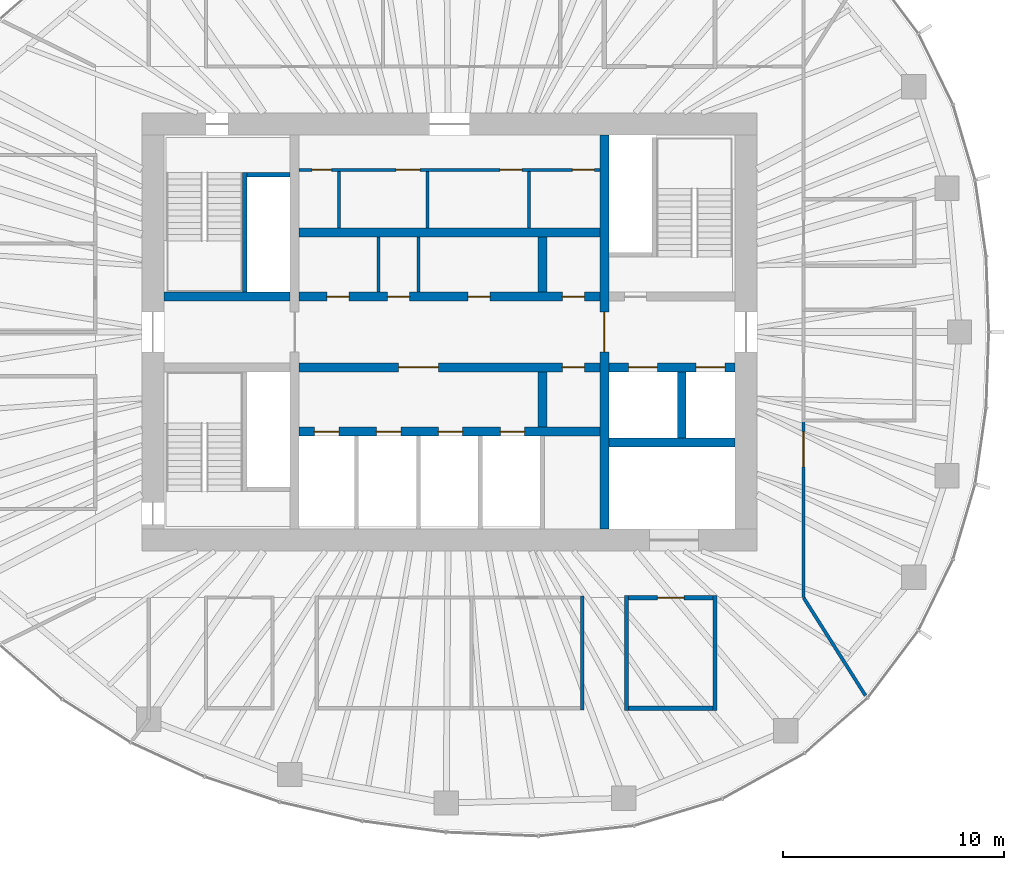
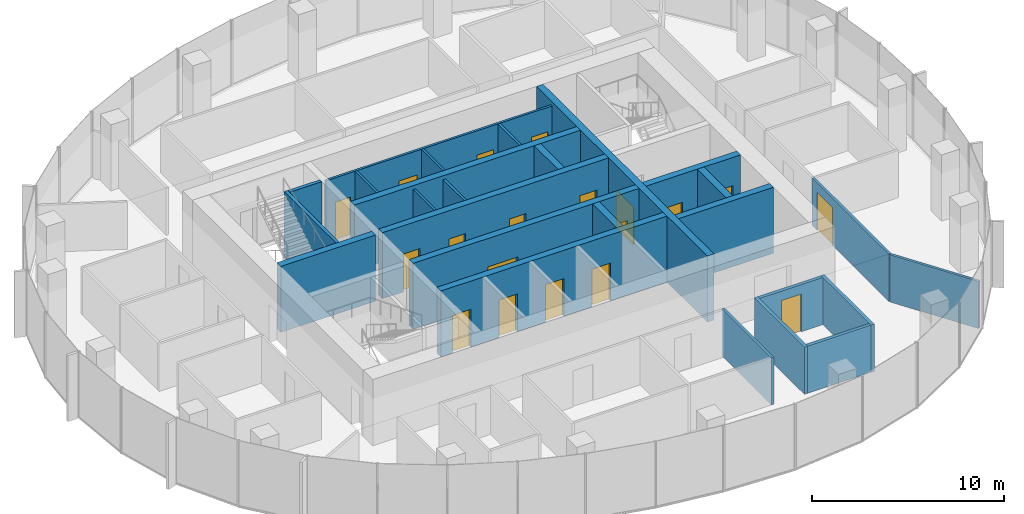
# One storey, part 9 of 12: 26 walls, 19 doors, 19 openings.
"""IFC4 building model written with IfcOpenShell, lengths in metres."""

from ifc_helpers import new_model, si_unit, direction, frame, frame_2d, origin, place, context, subcontext, project, spatial, rectangle, extrude, material, layer, layer_set, type_object, element, fill, save


model = new_model("IFC4")

# Units and contexts
model_context = context("Model", 3, precision=1e-05, world=origin(), true_north=direction((0.0, 1.0)))
body_context = subcontext(model_context, "Body", "Model", "MODEL_VIEW")
ifc_project = project(units=[si_unit("LENGTHUNIT", "METRE"), si_unit("AREAUNIT", "SQUARE_METRE"), si_unit("VOLUMEUNIT", "CUBIC_METRE"), si_unit("PLANEANGLEUNIT", "RADIAN"), si_unit("MASSUNIT", "GRAM", prefix="KILO")], contexts=[model_context])

# Site, building, storey
site_placement = place(None, origin())
site = spatial("IfcSite", under=ifc_project, at=site_placement, CompositionType="ELEMENT")
building_placement = place(site_placement, origin())
building = spatial("IfcBuilding", under=site, at=building_placement, Name="Ghaith Harvest Tower", CompositionType="ELEMENT")
storey_placement = place(building_placement, frame((0.0, 0.0, 296.39990234375)))
storey = spatial("IfcBuildingStorey", under=building, at=storey_placement, Name="L66", CompositionType="ELEMENT", Elevation=296.39990234375)

# Walls
ifc_material_1 = material(Name="Twin-stud gypsum board, acoustic", Category="gypsum")
ifc_layer_1 = layer(ifc_material_1, 0.199951171875)
ifc_layer_set_1 = layer_set([ifc_layer_1], Name="ACOUSTIC PARTITION 200")
wall_type_1 = type_object("IfcWallType", Name="ACOUSTIC PARTITION 200", PredefinedType="PARTITIONING", material=ifc_layer_set_1)
for number, where, z_axis, x_axis, name in (
    (1, (8.0, -11.89990234375, 0.0), (0.0, 0.0, 1.0), (0.0, -1.0, 0.0), "Partition L66 row S4 cross wall 1"),
    (2, (12.0, -11.89990234375, 0.0), (0.0, 0.0, 1.0), (0.0, -1.0, 0.0), "Partition L66 row S4 cross wall 2"),
):
    element("IfcWall", number, at=place(storey_placement, frame(where, z_axis=z_axis, x_axis=x_axis)), inside=storey, type_object=wall_type_1, Name=name, PredefinedType="PARTITIONING", context=body_context, shape_type="SweptSolid", body=[
        extrude(rectangle(XDim=5.2001953125, YDim=0.199951171875, at=frame_2d((2.60009765625, 0.0))), origin(), (0.0, 0.0, 1.0), 3.0),
    ])

# Wall, opening, door
wall_1_placement = place(storey_placement, frame((8.10009765625, -12.0, 0.0), z_axis=(0.0, 0.0, 1.0), x_axis=(1.0, 0.0, 0.0)))
wall_1 = element("IfcWall", 3, at=wall_1_placement, inside=storey, type_object=wall_type_1, Name="Partition L66-07", PredefinedType="PARTITIONING", context=body_context, shape_type="SweptSolid", body=[
    extrude(rectangle(XDim=3.7998046875, YDim=0.199951171875, at=frame_2d((1.89990234375, 0.0))), origin(), (0.0, 0.0, 1.0), 3.0),
])
opening_1_placement = place(wall_1_placement, frame((1.300048828125, 0.0, 0.0)))
opening_1 = element("IfcOpeningElement", 4, at=opening_1_placement, cuts=wall_1, Name="Opening 66-032", PredefinedType="OPENING", context=body_context, shape_type="SweptSolid", body=[
    extrude(rectangle(XDim=1.199951171875, YDim=2.39990234375, at=frame_2d((0.60009765625, 1.199951171875))), frame((0.0, 0.10986328125, 0.0), z_axis=(0.0, -1.0, 0.0), x_axis=(1.0, 0.0, 0.0)), (0.0, 0.0, 1.0), 0.219970703125),
])
ifc_material_2 = material(Name="Timber door", Category="wood")
door_type_1 = type_object("IfcDoorType", Name="D11 GLAZED 1200x2400", OperationType="SINGLE_SWING_LEFT", PredefinedType="DOOR", material=ifc_material_2)
door_1_placement = place(opening_1_placement, origin())
door_1 = element("IfcDoor", 5, at=door_1_placement, inside=storey, type_object=door_type_1, Name="Meeting room door", OperationType="SINGLE_SWING_LEFT", OverallHeight=2.39990234375, OverallWidth=1.199951171875, PredefinedType="DOOR", context=body_context, shape_type="SweptSolid", body=[
    extrude(rectangle(XDim=1.199951171875, YDim=2.39990234375, at=frame_2d((0.60009765625, 1.199951171875))), frame((0.0, 0.02490234375, 0.0), z_axis=(0.0, -1.0, 0.0), x_axis=(1.0, 0.0, 0.0)), (0.0, 0.0, 1.0), 0.050048828125),
])
fill(opening_1, door_1)

# Wall
wall_2_placement = place(storey_placement, frame((8.10009765625, -17.0, 0.0), z_axis=(0.0, 0.0, 1.0), x_axis=(1.0, 0.0, 0.0)))
element("IfcWall", 6, at=wall_2_placement, inside=storey, type_object=wall_type_1, Name="Partition L66-07", PredefinedType="PARTITIONING", context=body_context, shape_type="SweptSolid", body=[
    extrude(rectangle(XDim=3.7998046875, YDim=0.199951171875, at=frame_2d((1.89990234375, 0.0))), origin(), (0.0, 0.0, 1.0), 3.0),
])

# Wall, openings, doors
ifc_material_3 = material(Name="Concrete blockwork, fair-faced", Category="masonry")
ifc_layer_2 = layer(ifc_material_3, 0.139892578125)
ifc_layer_set_2 = layer_set([ifc_layer_2], Name="CORE PARTITION 140")
wall_type_2 = type_object("IfcWallType", Name="CORE PARTITION 140", PredefinedType="PARTITIONING", material=ifc_layer_set_2)
wall_3_placement = place(storey_placement, frame((-6.800048828125, 7.330078125, 0.0), z_axis=(0.0, 0.0, 1.0), x_axis=(1.0, 0.0, 0.0)))
wall_3 = element("IfcWall", 7, at=wall_3_placement, inside=storey, type_object=wall_type_2, Name="Core partition L66", PredefinedType="PARTITIONING", context=body_context, shape_type="SweptSolid", body=[
    extrude(rectangle(XDim=13.60009765625, YDim=0.139892578125, at=frame_2d((6.800048828125, 0.0))), origin(), (0.0, 0.0, 1.0), 3.9501953125),
])
opening_2_placement = place(wall_3_placement, frame((0.580078125, 0.0, 0.0)))
opening_2 = element("IfcOpeningElement", 8, at=opening_2_placement, cuts=wall_3, Name="Opening 66-008", PredefinedType="OPENING", context=body_context, shape_type="SweptSolid", body=[
    extrude(rectangle(XDim=0.89990234375, YDim=2.39990234375, at=frame_2d((0.449951171875, 1.199951171875))), frame((0.0, 0.080078125, 0.0), z_axis=(0.0, -1.0, 0.0), x_axis=(1.0, 0.0, 0.0)), (0.0, 0.0, 1.0), 0.159912109375),
])
opening_3_placement = place(wall_3_placement, frame((4.3798828125, 0.0, 0.0)))
opening_3 = element("IfcOpeningElement", 9, at=opening_3_placement, cuts=wall_3, Name="Opening 66-009", PredefinedType="OPENING", context=body_context, shape_type="SweptSolid", body=[
    extrude(rectangle(XDim=1.10009765625, YDim=2.39990234375, at=frame_2d((0.550048828125, 1.199951171875))), frame((0.0, 0.080078125, 0.0), z_axis=(0.0, -1.0, 0.0), x_axis=(1.0, 0.0, 0.0)), (0.0, 0.0, 1.0), 0.159912109375),
])
opening_4_placement = place(wall_3_placement, frame((9.080078125, 0.0, 0.0)))
opening_4 = element("IfcOpeningElement", 10, at=opening_4_placement, cuts=wall_3, Name="Opening 66-010", PredefinedType="OPENING", context=body_context, shape_type="SweptSolid", body=[
    extrude(rectangle(XDim=1.0, YDim=2.39990234375, at=frame_2d((0.5, 1.199951171875))), frame((0.0, 0.080078125, 0.0), z_axis=(0.0, -1.0, 0.0), x_axis=(1.0, 0.0, 0.0)), (0.0, 0.0, 1.0), 0.159912109375),
])
opening_5_placement = place(wall_3_placement, frame((12.35009765625, 0.0, 0.0)))
opening_5 = element("IfcOpeningElement", 11, at=opening_5_placement, cuts=wall_3, Name="Opening 66-011", PredefinedType="OPENING", context=body_context, shape_type="SweptSolid", body=[
    extrude(rectangle(XDim=1.0, YDim=2.39990234375, at=frame_2d((0.5, 1.199951171875))), frame((0.0, 0.080078125, 0.0), z_axis=(0.0, -1.0, 0.0), x_axis=(1.0, 0.0, 0.0)), (0.0, 0.0, 1.0), 0.159912109375),
])
ifc_material_4 = material(Name="Steel fire door", Category="steel")
door_type_2 = type_object("IfcDoorType", Name="D3 FD90 1000x2400", OperationType="SINGLE_SWING_LEFT", PredefinedType="DOOR", material=ifc_material_4)
door_2_placement = place(opening_4_placement, origin())
door_2 = element("IfcDoor", 12, at=door_2_placement, inside=storey, type_object=door_type_2, Name="Male WC door", OperationType="SINGLE_SWING_RIGHT", OverallHeight=2.39990234375, OverallWidth=1.0, PredefinedType="DOOR", context=body_context, shape_type="SweptSolid", body=[
    extrude(rectangle(XDim=1.0, YDim=2.39990234375, at=frame_2d((0.5, 1.199951171875))), frame((0.0, 0.02490234375, 0.0), z_axis=(0.0, -1.0, 0.0), x_axis=(1.0, 0.0, 0.0)), (0.0, 0.0, 1.0), 0.050048828125),
])
fill(opening_4, door_2)
door_3_placement = place(opening_5_placement, origin())
door_3 = element("IfcDoor", 13, at=door_3_placement, inside=storey, type_object=door_type_2, Name="Female WC door", OperationType="SINGLE_SWING_RIGHT", OverallHeight=2.39990234375, OverallWidth=1.0, PredefinedType="DOOR", context=body_context, shape_type="SweptSolid", body=[
    extrude(rectangle(XDim=1.0, YDim=2.39990234375, at=frame_2d((0.5, 1.199951171875))), frame((0.0, 0.02490234375, 0.0), z_axis=(0.0, -1.0, 0.0), x_axis=(1.0, 0.0, 0.0)), (0.0, 0.0, 1.0), 0.050048828125),
])
fill(opening_5, door_3)
ifc_material_5 = material(Name="Steel fire door", Category="steel")
door_type_3 = type_object("IfcDoorType", Name="D5 FD90 900x2400", OperationType="SINGLE_SWING_LEFT", PredefinedType="DOOR", material=ifc_material_5)
door_4_placement = place(opening_2_placement, origin())
door_4 = element("IfcDoor", 14, at=door_4_placement, inside=storey, type_object=door_type_3, Name="Cleaner's store door", OperationType="SINGLE_SWING_LEFT", OverallHeight=2.39990234375, OverallWidth=0.89990234375, PredefinedType="DOOR", context=body_context, shape_type="SweptSolid", body=[
    extrude(rectangle(XDim=0.89990234375, YDim=2.39990234375, at=frame_2d((0.449951171875, 1.199951171875))), frame((0.0, 0.02490234375, 0.0), z_axis=(0.0, -1.0, 0.0), x_axis=(1.0, 0.0, 0.0)), (0.0, 0.0, 1.0), 0.050048828125),
])
fill(opening_2, door_4)
ifc_material_6 = material(Name="Steel fire door", Category="steel")
door_type_4 = type_object("IfcDoorType", Name="D9 FD90 1100x2400", OperationType="SINGLE_SWING_LEFT", PredefinedType="DOOR", material=ifc_material_6)
door_5_placement = place(opening_3_placement, origin())
door_5 = element("IfcDoor", 15, at=door_5_placement, inside=storey, type_object=door_type_4, Name="Accessible WC door", OperationType="SINGLE_SWING_LEFT", OverallHeight=2.39990234375, OverallWidth=1.10009765625, PredefinedType="DOOR", context=body_context, shape_type="SweptSolid", body=[
    extrude(rectangle(XDim=1.10009765625, YDim=2.39990234375, at=frame_2d((0.550048828125, 1.199951171875))), frame((0.0, 0.02490234375, 0.0), z_axis=(0.0, -1.0, 0.0), x_axis=(1.0, 0.0, 0.0)), (0.0, 0.0, 1.0), 0.050048828125),
])
fill(opening_3, door_5)

# Walls
for number, where, z_axis, x_axis, name in (
    (16, (-5.0, 4.699951171875, 0.0), (0.0, 0.0, 1.0), (0.0, 1.0, 0.0), "Core partition L66"),
    (17, (-1.0, 4.699951171875, 0.0), (0.0, 0.0, 1.0), (0.0, 1.0, 0.0), "Core partition L66"),
    (18, (3.60009765625, 4.699951171875, 0.0), (0.0, 0.0, 1.0), (0.0, 1.0, 0.0), "Core partition L66"),
):
    element("IfcWall", number, at=place(storey_placement, frame(where, z_axis=z_axis, x_axis=x_axis)), inside=storey, type_object=wall_type_2, Name=name, PredefinedType="PARTITIONING", context=body_context, shape_type="SweptSolid", body=[
        extrude(rectangle(XDim=2.56005859375, YDim=0.139892578125, at=frame_2d((1.280029296875, 0.0))), origin(), (0.0, 0.0, 1.0), 3.9501953125),
    ])
for number, where, z_axis, x_axis, name in (
    (19, (-3.199951171875, 1.800048828125, 0.0), (0.0, 0.0, 1.0), (0.0, 1.0, 0.0), "Core partition L66"),
    (20, (-1.39990234375, 1.800048828125, 0.0), (0.0, 0.0, 1.0), (0.0, 1.0, 0.0), "Core partition L66"),
):
    element("IfcWall", number, at=place(storey_placement, frame(where, z_axis=z_axis, x_axis=x_axis)), inside=storey, type_object=wall_type_2, Name=name, PredefinedType="PARTITIONING", context=body_context, shape_type="SweptSolid", body=[
        extrude(rectangle(XDim=2.5, YDim=0.139892578125, at=frame_2d((1.25, 0.0))), origin(), (0.0, 0.0, 1.0), 3.9501953125),
    ])
ifc_material_7 = material(Name="Gypsum board on steel studs", Category="steel")
ifc_layer_3 = layer(ifc_material_7, 0.14990234375)
ifc_layer_set_3 = layer_set([ifc_layer_3], Name="PARTITION 150")
wall_type_3 = type_object("IfcWallType", Name="PARTITION 150", PredefinedType="PARTITIONING", material=ifc_layer_set_3)
wall_4_placement = place(storey_placement, frame((6.0, -11.925048828125, 0.0), z_axis=(0.0, 0.0, 1.0), x_axis=(0.0, -1.0, 0.0)))
element("IfcWall", 21, at=wall_4_placement, inside=storey, type_object=wall_type_3, Name="Partition L66 row S3 cross wall 3", PredefinedType="PARTITIONING", context=body_context, shape_type="SweptSolid", body=[
    extrude(rectangle(XDim=5.14990234375, YDim=0.14990234375, at=frame_2d((2.574951171875, 0.0))), origin(), (0.0, 0.0, 1.0), 3.0),
])
wall_5_placement = place(storey_placement, frame((16.0107421875, -12.016845703125, 0.0), z_axis=(0.0, 0.0, 1.0), x_axis=(0.53415837449, -0.845384427916, 0.0)))
element("IfcWall", 22, at=wall_5_placement, inside=storey, type_object=wall_type_3, Name="Partition L66 zone division", PredefinedType="PARTITIONING", context=body_context, shape_type="SweptSolid", body=[
    extrude(rectangle(XDim=5.220458984375, YDim=0.14990234375, at=frame_2d((2.6103515625, 0.0))), origin(), (0.0, 0.0, 1.0), 3.0),
])

# Wall, opening, door
wall_6_placement = place(storey_placement, frame((16.0, -12.0, 0.0), z_axis=(0.0, 0.0, 1.0), x_axis=(0.0, 1.0, 0.0)))
wall_6 = element("IfcWall", 23, at=wall_6_placement, inside=storey, type_object=wall_type_3, Name="Partition L66 zone enclosure", PredefinedType="PARTITIONING", context=body_context, shape_type="SweptSolid", body=[
    extrude(rectangle(XDim=8.0, YDim=0.14990234375, at=frame_2d((4.0, 0.0))), origin(), (0.0, 0.0, 1.0), 3.0),
])
opening_6_placement = place(wall_6_placement, frame((5.89990234375, 0.0, 0.0)))
opening_6 = element("IfcOpeningElement", 24, at=opening_6_placement, cuts=wall_6, Name="Opening 66-039", PredefinedType="OPENING", context=body_context, shape_type="SweptSolid", body=[
    extrude(rectangle(XDim=1.60009765625, YDim=2.39990234375, at=frame_2d((0.800048828125, 1.199951171875))), frame((0.0, 0.0849609375, 0.0), z_axis=(0.0, -1.0, 0.0), x_axis=(1.0, 0.0, 0.0)), (0.0, 0.0, 1.0), 0.169921875),
])
ifc_material_8 = material(Name="Timber door", Category="wood")
door_type_5 = type_object("IfcDoorType", Name="D2 PAIR 1600x2400", OperationType="DOUBLE_DOOR_SINGLE_SWING", PredefinedType="DOOR", material=ifc_material_8)
door_6_placement = place(opening_6_placement, origin())
door_6 = element("IfcDoor", 25, at=door_6_placement, inside=storey, type_object=door_type_5, Name="Research greenhouse east door", OperationType="DOUBLE_DOOR_SINGLE_SWING", OverallHeight=2.39990234375, OverallWidth=1.60009765625, PredefinedType="DOOR", context=body_context, shape_type="SweptSolid", body=[
    extrude(rectangle(XDim=1.60009765625, YDim=2.39990234375, at=frame_2d((0.800048828125, 1.199951171875))), frame((0.0, 0.02490234375, 0.0), z_axis=(0.0, -1.0, 0.0), x_axis=(1.0, 0.0, 0.0)), (0.0, 0.0, 1.0), 0.050048828125),
])
fill(opening_6, door_6)

ifc_material_9 = material(Name="Concrete C70/85", Category="concrete")
ifc_layer_4 = layer(ifc_material_9, 0.39990234375)
ifc_layer_set_4 = layer_set([ifc_layer_4], Name="SHAFT WALL 400")
wall_type_4 = type_object("IfcWallType", Name="SHAFT WALL 400", PredefinedType="SHEAR", material=ifc_layer_set_4)
wall_7_placement = place(storey_placement, frame((7.0, -8.89990234375, 0.0), z_axis=(0.0, 0.0, 1.0), x_axis=(0.0, 1.0, 0.0)))
wall_7 = element("IfcWall", 26, at=wall_7_placement, inside=storey, type_object=wall_type_4, Name="Shaft wall W7E L66", PredefinedType="SHEAR", context=body_context, shape_type="SweptSolid", body=[
    extrude(rectangle(XDim=17.7998046875, YDim=0.39990234375, at=frame_2d((8.89990234375, 0.0))), origin(), (0.0, 0.0, 1.0), 4.2001953125),
])
opening_7_placement = place(wall_7_placement, frame((8.0, 0.0, 0.0)))
opening_7 = element("IfcOpeningElement", 27, at=opening_7_placement, cuts=wall_7, Name="Opening 66-004", PredefinedType="OPENING", context=body_context, shape_type="SweptSolid", body=[
    extrude(rectangle(XDim=1.800048828125, YDim=2.39990234375, at=frame_2d((0.89990234375, 1.199951171875))), frame((0.0, 0.2099609375, 0.0), z_axis=(0.0, -1.0, 0.0), x_axis=(1.0, 0.0, 0.0)), (0.0, 0.0, 1.0), 0.419921875),
])
ifc_material_10 = material(Name="Steel fire door", Category="steel")
door_type_6 = type_object("IfcDoorType", Name="D4 FD90 PAIR 1800x2400", OperationType="DOUBLE_DOOR_SINGLE_SWING", PredefinedType="DOOR", material=ifc_material_10)
door_7_placement = place(opening_7_placement, origin())
door_7 = element("IfcDoor", 28, at=door_7_placement, inside=storey, type_object=door_type_6, Name="Lift lobby doors, east", OperationType="DOUBLE_DOOR_SINGLE_SWING", OverallHeight=2.39990234375, OverallWidth=1.800048828125, PredefinedType="DOOR", context=body_context, shape_type="SweptSolid", body=[
    extrude(rectangle(XDim=1.800048828125, YDim=2.39990234375, at=frame_2d((0.89990234375, 1.199951171875))), frame((0.0, 0.02490234375, 0.0), z_axis=(0.0, -1.0, 0.0), x_axis=(1.0, 0.0, 0.0)), (0.0, 0.0, 1.0), 0.050048828125),
])
fill(opening_7, door_7)

# Wall, openings, doors
wall_8_placement = place(storey_placement, frame((-6.800048828125, 1.60009765625, 0.0), z_axis=(0.0, 0.0, 1.0), x_axis=(1.0, 0.0, 0.0)))
wall_8 = element("IfcWall", 29, at=wall_8_placement, inside=storey, type_object=wall_type_4, Name="Shaft wall LN L66", PredefinedType="SHEAR", context=body_context, shape_type="SweptSolid", body=[
    extrude(rectangle(XDim=13.60009765625, YDim=0.39990234375, at=frame_2d((6.800048828125, 0.0))), origin(), (0.0, 0.0, 1.0), 4.2001953125),
])
opening_8_placement = place(wall_8_placement, frame((1.264892578125, 0.0, 0.0)))
opening_8 = element("IfcOpeningElement", 30, at=opening_8_placement, cuts=wall_8, Name="Opening 66-012", PredefinedType="OPENING", context=body_context, shape_type="SweptSolid", body=[
    extrude(rectangle(XDim=1.0, YDim=2.39990234375, at=frame_2d((0.5, 1.199951171875))), frame((0.0, 0.2099609375, 0.0), z_axis=(0.0, -1.0, 0.0), x_axis=(1.0, 0.0, 0.0)), (0.0, 0.0, 1.0), 0.419921875),
])
opening_9_placement = place(wall_8_placement, frame((4.0, 0.0, 0.0)))
opening_9 = element("IfcOpeningElement", 31, at=opening_9_placement, cuts=wall_8, Name="Opening 66-013", PredefinedType="OPENING", context=body_context, shape_type="SweptSolid", body=[
    extrude(rectangle(XDim=1.0, YDim=2.39990234375, at=frame_2d((0.5, 1.199951171875))), frame((0.0, 0.2099609375, 0.0), z_axis=(0.0, -1.0, 0.0), x_axis=(1.0, 0.0, 0.0)), (0.0, 0.0, 1.0), 0.419921875),
])
opening_10_placement = place(wall_8_placement, frame((7.635009765625, 0.0, 0.0)))
opening_10 = element("IfcOpeningElement", 32, at=opening_10_placement, cuts=wall_8, Name="Opening 66-014", PredefinedType="OPENING", context=body_context, shape_type="SweptSolid", body=[
    extrude(rectangle(XDim=1.0, YDim=2.39990234375, at=frame_2d((0.5, 1.199951171875))), frame((0.0, 0.2099609375, 0.0), z_axis=(0.0, -1.0, 0.0), x_axis=(1.0, 0.0, 0.0)), (0.0, 0.0, 1.0), 0.419921875),
])
opening_11_placement = place(wall_8_placement, frame((11.89990234375, 0.0, 0.0)))
opening_11 = element("IfcOpeningElement", 33, at=opening_11_placement, cuts=wall_8, Name="Opening 66-015", PredefinedType="OPENING", context=body_context, shape_type="SweptSolid", body=[
    extrude(rectangle(XDim=1.0, YDim=2.39990234375, at=frame_2d((0.5, 1.199951171875))), frame((0.0, 0.2099609375, 0.0), z_axis=(0.0, -1.0, 0.0), x_axis=(1.0, 0.0, 0.0)), (0.0, 0.0, 1.0), 0.419921875),
])
door_8_placement = place(opening_8_placement, origin())
door_8 = element("IfcDoor", 34, at=door_8_placement, inside=storey, type_object=door_type_2, Name="Electrical room door", OperationType="SINGLE_SWING_LEFT", OverallHeight=2.39990234375, OverallWidth=1.0, PredefinedType="DOOR", context=body_context, shape_type="SweptSolid", body=[
    extrude(rectangle(XDim=1.0, YDim=2.39990234375, at=frame_2d((0.5, 1.199951171875))), frame((0.0, 0.02490234375, 0.0), z_axis=(0.0, -1.0, 0.0), x_axis=(1.0, 0.0, 0.0)), (0.0, 0.0, 1.0), 0.050048828125),
])
fill(opening_8, door_8)
door_9_placement = place(opening_9_placement, origin())
door_9 = element("IfcDoor", 35, at=door_9_placement, inside=storey, type_object=door_type_2, Name="Staff WC door", OperationType="SINGLE_SWING_LEFT", OverallHeight=2.39990234375, OverallWidth=1.0, PredefinedType="DOOR", context=body_context, shape_type="SweptSolid", body=[
    extrude(rectangle(XDim=1.0, YDim=2.39990234375, at=frame_2d((0.5, 1.199951171875))), frame((0.0, 0.02490234375, 0.0), z_axis=(0.0, -1.0, 0.0), x_axis=(1.0, 0.0, 0.0)), (0.0, 0.0, 1.0), 0.050048828125),
])
fill(opening_9, door_9)
door_10_placement = place(opening_10_placement, origin())
door_10 = element("IfcDoor", 36, at=door_10_placement, inside=storey, type_object=door_type_2, Name="Communications equipment room door", OperationType="SINGLE_SWING_RIGHT", OverallHeight=2.39990234375, OverallWidth=1.0, PredefinedType="DOOR", context=body_context, shape_type="SweptSolid", body=[
    extrude(rectangle(XDim=1.0, YDim=2.39990234375, at=frame_2d((0.5, 1.199951171875))), frame((0.0, 0.02490234375, 0.0), z_axis=(0.0, -1.0, 0.0), x_axis=(1.0, 0.0, 0.0)), (0.0, 0.0, 1.0), 0.050048828125),
])
fill(opening_10, door_10)
door_11_placement = place(opening_11_placement, origin())
door_11 = element("IfcDoor", 37, at=door_11_placement, inside=storey, type_object=door_type_2, Name="Security room door", OperationType="SINGLE_SWING_RIGHT", OverallHeight=2.39990234375, OverallWidth=1.0, PredefinedType="DOOR", context=body_context, shape_type="SweptSolid", body=[
    extrude(rectangle(XDim=1.0, YDim=2.39990234375, at=frame_2d((0.5, 1.199951171875))), frame((0.0, 0.02490234375, 0.0), z_axis=(0.0, -1.0, 0.0), x_axis=(1.0, 0.0, 0.0)), (0.0, 0.0, 1.0), 0.050048828125),
])
fill(opening_11, door_11)

wall_9_placement = place(storey_placement, frame((-6.800048828125, -1.60009765625, 0.0), z_axis=(0.0, 0.0, 1.0), x_axis=(1.0, 0.0, 0.0)))
wall_9 = element("IfcWall", 38, at=wall_9_placement, inside=storey, type_object=wall_type_4, Name="Shaft wall LS L66", PredefinedType="SHEAR", context=body_context, shape_type="SweptSolid", body=[
    extrude(rectangle(XDim=13.60009765625, YDim=0.39990234375, at=frame_2d((6.800048828125, 0.0))), origin(), (0.0, 0.0, 1.0), 4.2001953125),
])
opening_12_placement = place(wall_9_placement, frame((11.89990234375, 0.0, 0.0)))
opening_12 = element("IfcOpeningElement", 39, at=opening_12_placement, cuts=wall_9, Name="Opening 66-016", PredefinedType="OPENING", context=body_context, shape_type="SweptSolid", body=[
    extrude(rectangle(XDim=1.0, YDim=2.39990234375, at=frame_2d((0.5, 1.199951171875))), frame((0.0, 0.2099609375, 0.0), z_axis=(0.0, -1.0, 0.0), x_axis=(1.0, 0.0, 0.0)), (0.0, 0.0, 1.0), 0.419921875),
])
opening_13_placement = place(wall_9_placement, frame((4.5, 0.0, 0.0)))
opening_13 = element("IfcOpeningElement", 40, at=opening_13_placement, cuts=wall_9, Name="Opening 66-017", PredefinedType="OPENING", context=body_context, shape_type="SweptSolid", body=[
    extrude(rectangle(XDim=1.800048828125, YDim=2.39990234375, at=frame_2d((0.89990234375, 1.199951171875))), frame((0.0, 0.2099609375, 0.0), z_axis=(0.0, -1.0, 0.0), x_axis=(1.0, 0.0, 0.0)), (0.0, 0.0, 1.0), 0.419921875),
])
door_12_placement = place(opening_12_placement, origin())
door_12 = element("IfcDoor", 41, at=door_12_placement, inside=storey, type_object=door_type_2, Name="IT equipment room door", OperationType="SINGLE_SWING_RIGHT", OverallHeight=2.39990234375, OverallWidth=1.0, PredefinedType="DOOR", context=body_context, shape_type="SweptSolid", body=[
    extrude(rectangle(XDim=1.0, YDim=2.39990234375, at=frame_2d((0.5, 1.199951171875))), frame((0.0, 0.02490234375, 0.0), z_axis=(0.0, -1.0, 0.0), x_axis=(1.0, 0.0, 0.0)), (0.0, 0.0, 1.0), 0.050048828125),
])
fill(opening_12, door_12)
door_13_placement = place(opening_13_placement, origin())
door_13 = element("IfcDoor", 42, at=door_13_placement, inside=storey, type_object=door_type_6, Name="Lift lobby doors, upper-zone bank", OperationType="DOUBLE_DOOR_SINGLE_SWING", OverallHeight=2.39990234375, OverallWidth=1.800048828125, PredefinedType="DOOR", context=body_context, shape_type="SweptSolid", body=[
    extrude(rectangle(XDim=1.800048828125, YDim=2.39990234375, at=frame_2d((0.89990234375, 1.199951171875))), frame((0.0, 0.02490234375, 0.0), z_axis=(0.0, -1.0, 0.0), x_axis=(1.0, 0.0, 0.0)), (0.0, 0.0, 1.0), 0.050048828125),
])
fill(opening_13, door_13)

# Wall
wall_10_placement = place(storey_placement, frame((-6.800048828125, 4.5, 0.0), z_axis=(0.0, 0.0, 1.0), x_axis=(1.0, 0.0, 0.0)))
element("IfcWall", 43, at=wall_10_placement, inside=storey, type_object=wall_type_4, Name="Shaft wall BN L66", PredefinedType="SHEAR", context=body_context, shape_type="SweptSolid", body=[
    extrude(rectangle(XDim=13.60009765625, YDim=0.39990234375, at=frame_2d((6.800048828125, 0.0))), origin(), (0.0, 0.0, 1.0), 4.2001953125),
])

# Wall, openings, doors
wall_11_placement = place(storey_placement, frame((-6.800048828125, -4.5, 0.0), z_axis=(0.0, 0.0, 1.0), x_axis=(1.0, 0.0, 0.0)))
wall_11 = element("IfcWall", 44, at=wall_11_placement, inside=storey, type_object=wall_type_4, Name="Shaft wall BS L66", PredefinedType="SHEAR", context=body_context, shape_type="SweptSolid", body=[
    extrude(rectangle(XDim=13.60009765625, YDim=0.39990234375, at=frame_2d((6.800048828125, 0.0))), origin(), (0.0, 0.0, 1.0), 4.2001953125),
])
opening_14_placement = place(wall_11_placement, frame((0.699951171875, 0.0, 0.0)))
opening_14 = element("IfcOpeningElement", 45, at=opening_14_placement, cuts=wall_11, Name="Opening 66-019", PredefinedType="OPENING", context=body_context, shape_type="SweptSolid", body=[
    extrude(rectangle(XDim=1.10009765625, YDim=2.39990234375, at=frame_2d((0.550048828125, 1.199951171875))), frame((0.0, 0.2099609375, 0.0), z_axis=(0.0, -1.0, 0.0), x_axis=(1.0, 0.0, 0.0)), (0.0, 0.0, 1.0), 0.419921875),
])
opening_15_placement = place(wall_11_placement, frame((3.5, 0.0, 0.0)))
opening_15 = element("IfcOpeningElement", 46, at=opening_15_placement, cuts=wall_11, Name="Opening 66-020", PredefinedType="OPENING", context=body_context, shape_type="SweptSolid", body=[
    extrude(rectangle(XDim=1.10009765625, YDim=2.39990234375, at=frame_2d((0.550048828125, 1.199951171875))), frame((0.0, 0.2099609375, 0.0), z_axis=(0.0, -1.0, 0.0), x_axis=(1.0, 0.0, 0.0)), (0.0, 0.0, 1.0), 0.419921875),
])
opening_16_placement = place(wall_11_placement, frame((6.300048828125, 0.0, 0.0)))
opening_16 = element("IfcOpeningElement", 47, at=opening_16_placement, cuts=wall_11, Name="Opening 66-021", PredefinedType="OPENING", context=body_context, shape_type="SweptSolid", body=[
    extrude(rectangle(XDim=1.10009765625, YDim=2.39990234375, at=frame_2d((0.550048828125, 1.199951171875))), frame((0.0, 0.2099609375, 0.0), z_axis=(0.0, -1.0, 0.0), x_axis=(1.0, 0.0, 0.0)), (0.0, 0.0, 1.0), 0.419921875),
])
opening_17_placement = place(wall_11_placement, frame((9.10009765625, 0.0, 0.0)))
opening_17 = element("IfcOpeningElement", 48, at=opening_17_placement, cuts=wall_11, Name="Opening 66-022", PredefinedType="OPENING", context=body_context, shape_type="SweptSolid", body=[
    extrude(rectangle(XDim=1.10009765625, YDim=2.39990234375, at=frame_2d((0.550048828125, 1.199951171875))), frame((0.0, 0.2099609375, 0.0), z_axis=(0.0, -1.0, 0.0), x_axis=(1.0, 0.0, 0.0)), (0.0, 0.0, 1.0), 0.419921875),
])
ifc_material_11 = material(Name="Steel fire door", Category="steel")
door_type_7 = type_object("IfcDoorType", Name="LD1 LANDING 1100x2400", OperationType="DOUBLE_DOOR_SLIDING", PredefinedType="DOOR", material=ifc_material_11)
door_14_placement = place(opening_14_placement, origin())
door_14 = element("IfcDoor", 49, at=door_14_placement, inside=storey, type_object=door_type_7, Name="Landing door, lift TR1", OperationType="DOUBLE_DOOR_SLIDING", OverallHeight=2.39990234375, OverallWidth=1.10009765625, PredefinedType="DOOR", context=body_context, shape_type="SweptSolid", body=[
    extrude(rectangle(XDim=1.10009765625, YDim=2.39990234375, at=frame_2d((0.550048828125, 1.199951171875))), frame((0.0, 0.02490234375, 0.0), z_axis=(0.0, -1.0, 0.0), x_axis=(1.0, 0.0, 0.0)), (0.0, 0.0, 1.0), 0.050048828125),
])
fill(opening_14, door_14)
door_15_placement = place(opening_15_placement, origin())
door_15 = element("IfcDoor", 50, at=door_15_placement, inside=storey, type_object=door_type_7, Name="Landing door, lift TR2", OperationType="DOUBLE_DOOR_SLIDING", OverallHeight=2.39990234375, OverallWidth=1.10009765625, PredefinedType="DOOR", context=body_context, shape_type="SweptSolid", body=[
    extrude(rectangle(XDim=1.10009765625, YDim=2.39990234375, at=frame_2d((0.550048828125, 1.199951171875))), frame((0.0, 0.02490234375, 0.0), z_axis=(0.0, -1.0, 0.0), x_axis=(1.0, 0.0, 0.0)), (0.0, 0.0, 1.0), 0.050048828125),
])
fill(opening_15, door_15)
door_16_placement = place(opening_16_placement, origin())
door_16 = element("IfcDoor", 51, at=door_16_placement, inside=storey, type_object=door_type_7, Name="Landing door, lift TR3", OperationType="DOUBLE_DOOR_SLIDING", OverallHeight=2.39990234375, OverallWidth=1.10009765625, PredefinedType="DOOR", context=body_context, shape_type="SweptSolid", body=[
    extrude(rectangle(XDim=1.10009765625, YDim=2.39990234375, at=frame_2d((0.550048828125, 1.199951171875))), frame((0.0, 0.02490234375, 0.0), z_axis=(0.0, -1.0, 0.0), x_axis=(1.0, 0.0, 0.0)), (0.0, 0.0, 1.0), 0.050048828125),
])
fill(opening_16, door_16)
door_17_placement = place(opening_17_placement, origin())
door_17 = element("IfcDoor", 52, at=door_17_placement, inside=storey, type_object=door_type_7, Name="Landing door, lift TR4", OperationType="DOUBLE_DOOR_SLIDING", OverallHeight=2.39990234375, OverallWidth=1.10009765625, PredefinedType="DOOR", context=body_context, shape_type="SweptSolid", body=[
    extrude(rectangle(XDim=1.10009765625, YDim=2.39990234375, at=frame_2d((0.550048828125, 1.199951171875))), frame((0.0, 0.02490234375, 0.0), z_axis=(0.0, -1.0, 0.0), x_axis=(1.0, 0.0, 0.0)), (0.0, 0.0, 1.0), 0.050048828125),
])
fill(opening_17, door_17)

# Wall
wall_12_placement = place(storey_placement, frame((-12.89990234375, 1.60009765625, 0.0), z_axis=(0.0, 0.0, 1.0), x_axis=(1.0, 0.0, 0.0)))
element("IfcWall", 53, at=wall_12_placement, inside=storey, type_object=wall_type_4, Name="Shaft wall WN L66", PredefinedType="SHEAR", context=body_context, shape_type="SweptSolid", body=[
    extrude(rectangle(XDim=5.699951171875, YDim=0.39990234375, at=frame_2d((2.85009765625, 0.0))), origin(), (0.0, 0.0, 1.0), 4.2001953125),
])

# Wall, openings, doors
wall_13_placement = place(storey_placement, frame((7.199951171875, -1.60009765625, 0.0), z_axis=(0.0, 0.0, 1.0), x_axis=(1.0, 0.0, 0.0)))
wall_13 = element("IfcWall", 54, at=wall_13_placement, inside=storey, type_object=wall_type_4, Name="Shaft wall ES L66", PredefinedType="SHEAR", context=body_context, shape_type="SweptSolid", body=[
    extrude(rectangle(XDim=5.699951171875, YDim=0.39990234375, at=frame_2d((2.85009765625, 0.0))), origin(), (0.0, 0.0, 1.0), 4.2001953125),
])
opening_18_placement = place(wall_13_placement, frame((0.89990234375, 0.0, 0.0)))
opening_18 = element("IfcOpeningElement", 55, at=opening_18_placement, cuts=wall_13, Name="Opening 66-023", PredefinedType="OPENING", context=body_context, shape_type="SweptSolid", body=[
    extrude(rectangle(XDim=1.300048828125, YDim=2.39990234375, at=frame_2d((0.64990234375, 1.199951171875))), frame((0.0, 0.2099609375, 0.0), z_axis=(0.0, -1.0, 0.0), x_axis=(1.0, 0.0, 0.0)), (0.0, 0.0, 1.0), 0.419921875),
])
opening_19_placement = place(wall_13_placement, frame((3.949951171875, 0.0, 0.0)))
opening_19 = element("IfcOpeningElement", 56, at=opening_19_placement, cuts=wall_13, Name="Opening 66-024", PredefinedType="OPENING", context=body_context, shape_type="SweptSolid", body=[
    extrude(rectangle(XDim=1.300048828125, YDim=2.39990234375, at=frame_2d((0.64990234375, 1.199951171875))), frame((0.0, 0.2099609375, 0.0), z_axis=(0.0, -1.0, 0.0), x_axis=(1.0, 0.0, 0.0)), (0.0, 0.0, 1.0), 0.419921875),
])
ifc_material_12 = material(Name="Steel fire door", Category="steel")
door_type_8 = type_object("IfcDoorType", Name="LD2 LANDING 1300x2400", OperationType="DOUBLE_DOOR_SLIDING", PredefinedType="DOOR", material=ifc_material_12)
door_18_placement = place(opening_18_placement, origin())
door_18 = element("IfcDoor", 57, at=door_18_placement, inside=storey, type_object=door_type_8, Name="Landing door, fire service lift FL1", OperationType="DOUBLE_DOOR_SLIDING", OverallHeight=2.39990234375, OverallWidth=1.300048828125, PredefinedType="DOOR", context=body_context, shape_type="SweptSolid", body=[
    extrude(rectangle(XDim=1.300048828125, YDim=2.39990234375, at=frame_2d((0.64990234375, 1.199951171875))), frame((0.0, 0.02490234375, 0.0), z_axis=(0.0, -1.0, 0.0), x_axis=(1.0, 0.0, 0.0)), (0.0, 0.0, 1.0), 0.050048828125),
])
fill(opening_18, door_18)
door_19_placement = place(opening_19_placement, origin())
door_19 = element("IfcDoor", 58, at=door_19_placement, inside=storey, type_object=door_type_8, Name="Landing door, fire service lift FL2", OperationType="DOUBLE_DOOR_SLIDING", OverallHeight=2.39990234375, OverallWidth=1.300048828125, PredefinedType="DOOR", context=body_context, shape_type="SweptSolid", body=[
    extrude(rectangle(XDim=1.300048828125, YDim=2.39990234375, at=frame_2d((0.64990234375, 1.199951171875))), frame((0.0, 0.02490234375, 0.0), z_axis=(0.0, -1.0, 0.0), x_axis=(1.0, 0.0, 0.0)), (0.0, 0.0, 1.0), 0.050048828125),
])
fill(opening_19, door_19)

# Walls
wall_14_placement = place(storey_placement, frame((10.5, -4.800048828125, 0.0), z_axis=(0.0, 0.0, 1.0), x_axis=(0.0, 1.0, 0.0)))
element("IfcWall", 59, at=wall_14_placement, inside=storey, type_object=wall_type_4, Name="Shaft wall FLD L66", PredefinedType="SHEAR", context=body_context, shape_type="SweptSolid", body=[
    extrude(rectangle(XDim=3.0, YDim=0.39990234375, at=frame_2d((1.5, 0.0))), origin(), (0.0, 0.0, 1.0), 4.2001953125),
])
wall_15_placement = place(storey_placement, frame((7.199951171875, -5.0, 0.0), z_axis=(0.0, 0.0, 1.0), x_axis=(1.0, 0.0, 0.0)))
element("IfcWall", 60, at=wall_15_placement, inside=storey, type_object=wall_type_4, Name="Shaft wall FLB L66", PredefinedType="SHEAR", context=body_context, shape_type="SweptSolid", body=[
    extrude(rectangle(XDim=5.699951171875, YDim=0.39990234375, at=frame_2d((2.85009765625, 0.0))), origin(), (0.0, 0.0, 1.0), 4.2001953125),
])
for number, where, z_axis, x_axis, name in (
    (61, (4.199951171875, 1.800048828125, 0.0), (0.0, 0.0, 1.0), (0.0, 1.0, 0.0), "Shaft wall DN4 L66"),
    (62, (4.199951171875, -4.300048828125, 0.0), (0.0, 0.0, 1.0), (0.0, 1.0, 0.0), "Shaft wall DS4 L66"),
):
    element("IfcWall", number, at=place(storey_placement, frame(where, z_axis=z_axis, x_axis=x_axis)), inside=storey, type_object=wall_type_4, Name=name, PredefinedType="SHEAR", context=body_context, shape_type="SweptSolid", body=[
        extrude(rectangle(XDim=2.5, YDim=0.39990234375, at=frame_2d((1.25, 0.0))), origin(), (0.0, 0.0, 1.0), 4.2001953125),
    ])
ifc_material_13 = material(Name="Concrete C40/50", Category="concrete")
ifc_layer_5 = layer(ifc_material_13, 0.199951171875)
ifc_layer_set_5 = layer_set([ifc_layer_5], Name="STAIR SPINE WALL RC200")
wall_type_5 = type_object("IfcWallType", Name="STAIR SPINE WALL RC200", PredefinedType="SOLIDWALL", material=ifc_layer_set_5)
wall_16_placement = place(storey_placement, frame((-9.25, 7.199951171875, 0.0), z_axis=(0.0, 0.0, 1.0), x_axis=(0.0, -1.0, 0.0)))
element("IfcWall", 63, at=wall_16_placement, inside=storey, type_object=wall_type_5, Name="Stair ST1 spine wall L66", PredefinedType="SOLIDWALL", context=body_context, shape_type="SweptSolid", body=[
    extrude(rectangle(XDim=5.39990234375, YDim=0.199951171875, at=frame_2d((2.699951171875, 0.0))), origin(), (0.0, 0.0, 1.0), 4.2001953125),
])
wall_17_placement = place(storey_placement, frame((-9.14990234375, 7.10009765625, 0.0), z_axis=(0.0, 0.0, 1.0), x_axis=(1.0, 0.0, 0.0)))
element("IfcWall", 64, at=wall_17_placement, inside=storey, type_object=wall_type_5, Name="Stair ST1 spine wall return L66", PredefinedType="SOLIDWALL", context=body_context, shape_type="SweptSolid", body=[
    extrude(rectangle(XDim=1.949951171875, YDim=0.199951171875, at=frame_2d((0.97509765625, 0.0))), origin(), (0.0, 0.0, 1.0), 4.2001953125),
])

save(model, "model.ifc")
